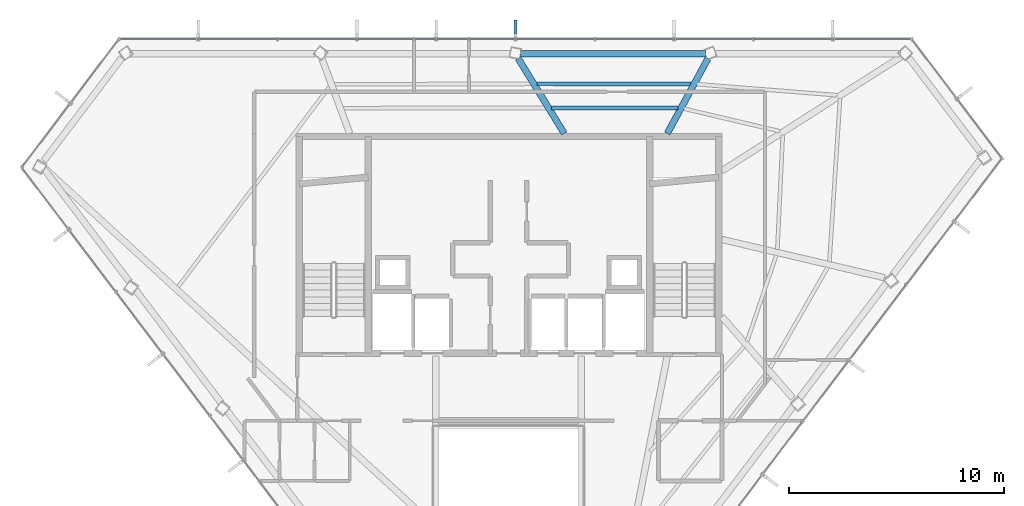
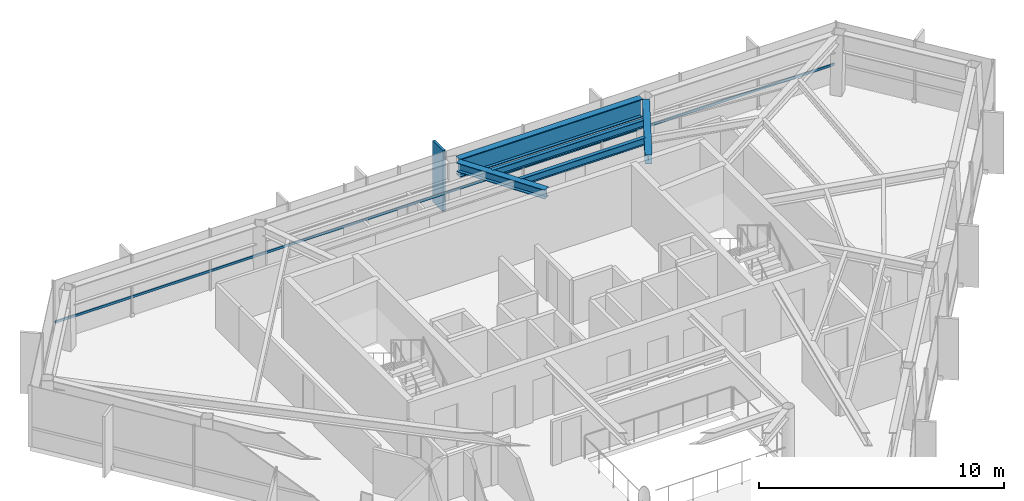
# One storey, part 13 of 24: 5 beams, 2 members, 1 element without a shape of its own.
"""IFC4 building model written with IfcOpenShell, lengths in metres."""

from ifc_helpers import new_model, si_unit, direction, frame, origin, origin_2d, place, context, subcontext, project, spatial, rectangle, hollow_rectangle, i_section, extrude, material, layer, layer_set, material_profile, profile_set, type_object, element, aggregate, save


model = new_model("IFC4")

# Units and contexts
model_context = context("Model", 3, precision=1e-05, world=origin(), true_north=direction((0.0, 1.0)))
body_context = subcontext(model_context, "Body", "Model", "MODEL_VIEW")
ifc_project = project(units=[si_unit("LENGTHUNIT", "METRE"), si_unit("AREAUNIT", "SQUARE_METRE"), si_unit("VOLUMEUNIT", "CUBIC_METRE"), si_unit("PLANEANGLEUNIT", "RADIAN"), si_unit("MASSUNIT", "GRAM", prefix="KILO")], contexts=[model_context])

# Site, building, storey
site_placement = place(None, origin())
site = spatial("IfcSite", under=ifc_project, at=site_placement, CompositionType="ELEMENT")
building_placement = place(site_placement, origin())
building = spatial("IfcBuilding", under=site, at=building_placement, Name="Zarrinselat Tower", CompositionType="ELEMENT")
storey_placement = place(building_placement, frame((0.0, 0.0, 249.56005859375)))
storey = spatial("IfcBuildingStorey", under=building, at=storey_placement, Name="L63", CompositionType="ELEMENT", Elevation=249.56005859375)

# Beams
ifc_material_1 = material(Name="Steel S355J2", Category="steel")
ifc_material_profile_1 = material_profile(ifc_material_1, i_section(OverallWidth=0.300048828125, OverallDepth=0.449951171875, WebThickness=0.013916015625, FlangeThickness=0.02587890625, at=origin_2d()), Name="HEB 450")
ifc_profile_set_1 = profile_set([ifc_material_profile_1], Name="Steel S355J2")
beam_type_1 = type_object("IfcBeamType", Name="BM-HEB450", PredefinedType="BEAM", material=ifc_profile_set_1)
beam_1_placement = place(storey_placement, frame((45.800048828125, 43.5400390625, 2.824951171875), z_axis=(0.477121674943, 0.878837247333, 0.0), x_axis=(-0.878837247333, 0.477121674943, 0.0)))
element("IfcBeam", 1, at=beam_1_placement, inside=storey, type_object=beam_type_1, Name="L63 Radial Primary Girder RG02", PredefinedType="BEAM", context=body_context, shape_type="SweptSolid", body=[
    extrude(i_section(OverallWidth=0.300048828125, OverallDepth=0.449951171875, WebThickness=0.013916015625, FlangeThickness=0.02587890625, at=origin_2d()), origin(), (0.0, 0.0, 1.0), 3.975830078125),
])
beam_2_placement = place(storey_placement, frame((38.8505859375, 47.040771484375, 2.824951171875), z_axis=(0.523235017619, -0.852188427719, 0.0), x_axis=(0.852188427719, 0.523235017619, 0.0)))
element("IfcBeam", 2, at=beam_2_placement, inside=storey, type_object=beam_type_1, Name="L63 Radial Primary Girder RG03", PredefinedType="BEAM", context=body_context, shape_type="SweptSolid", body=[
    extrude(i_section(OverallWidth=0.300048828125, OverallDepth=0.449951171875, WebThickness=0.013916015625, FlangeThickness=0.02587890625, at=origin_2d()), origin(), (0.0, 0.0, 1.0), 4.10791015625),
])
ifc_material_2 = material(Name="Steel S460M", Category="steel")
ifc_material_profile_2 = material_profile(ifc_material_2, i_section(OverallWidth=0.302001953125, OverallDepth=0.909912109375, WebThickness=0.02099609375, FlangeThickness=0.0400390625, at=origin_2d()), Name="HEM 900")
ifc_profile_set_2 = profile_set([ifc_material_profile_2], Name="Steel S460M")
beam_type_2 = type_object("IfcBeamType", Name="BM-HEM900", PredefinedType="BEAM", material=ifc_profile_set_2)
beam_3_placement = place(storey_placement, frame((38.956787109375, 47.255615234375, 2.594970703125), z_axis=(1.0, 0.0, 0.0), x_axis=(0.0, 1.0, 0.0)))
element("IfcBeam", 3, at=beam_3_placement, inside=storey, type_object=beam_type_2, Name="L63 Perimeter Spandrel Girder SP02", PredefinedType="BEAM", context=body_context, shape_type="SweptSolid", body=[
    extrude(i_section(OverallWidth=0.302001953125, OverallDepth=0.909912109375, WebThickness=0.02099609375, FlangeThickness=0.0400390625, at=origin_2d()), origin(), (0.0, 0.0, 1.0), 8.622314453125),
])
ifc_material_3 = material(Name="Steel S355J2", Category="steel")
ifc_material_profile_3 = material_profile(ifc_material_3, i_section(OverallWidth=0.169921875, OverallDepth=0.360107421875, WebThickness=0.008056640625, FlangeThickness=0.0126953125, at=origin_2d()), Name="IPE 360")
ifc_profile_set_3 = profile_set([ifc_material_profile_3], Name="Steel S355J2")
beam_type_3 = type_object("IfcBeamType", Name="BM-IPE360", PredefinedType="JOIST", material=ifc_profile_set_3)
beam_4_placement = place(storey_placement, frame((39.721435546875, 45.850341796875, 2.869873046875), z_axis=(0.999999833425, -0.000577190682, 0.0), x_axis=(0.000577190682, 0.999999833425, 0.0)))
element("IfcBeam", 4, at=beam_4_placement, inside=storey, type_object=beam_type_3, Name="L63 Composite Floor Joist 7-1", PredefinedType="JOIST", context=body_context, shape_type="SweptSolid", body=[
    extrude(i_section(OverallWidth=0.169921875, OverallDepth=0.360107421875, WebThickness=0.008056640625, FlangeThickness=0.0126953125, at=origin_2d()), origin(), (0.0, 0.0, 1.0), 7.190673828125),
])
beam_5_placement = place(storey_placement, frame((40.4091796875, 44.730224609375, 2.869873046875), z_axis=(0.999999930552, -0.000372686214, 0.0), x_axis=(0.000372686214, 0.999999930552, 0.0)))
element("IfcBeam", 5, at=beam_5_placement, inside=storey, type_object=beam_type_3, Name="L63 Composite Floor Joist 7-2", PredefinedType="JOIST", context=body_context, shape_type="SweptSolid", body=[
    extrude(i_section(OverallWidth=0.169921875, OverallDepth=0.360107421875, WebThickness=0.008056640625, FlangeThickness=0.0126953125, at=origin_2d()), origin(), (0.0, 0.0, 1.0), 5.895751953125),
])

# Curtain wall, members
ifc_material_4 = material(Name="Extruded Aluminium Alloy EN AW-6063 T6", Category="aluminium")
ifc_layer = layer(ifc_material_4, 0.169921875)
ifc_layer_set = layer_set([ifc_layer], Name="Extruded Aluminium Alloy EN AW-6063 T6")
curtain_wall_type = type_object("IfcCurtainWallType", Name="CWS-RES", PredefinedType="NOTDEFINED", material=ifc_layer_set)
curtain_wall_placement = place(storey_placement, origin())
curtain_wall = element("IfcCurtainWall", 6, at=curtain_wall_placement, inside=storey, type_object=curtain_wall_type, Name="L63 Unitised Curtain Wall CW-L63-E01", PredefinedType="NOTDEFINED")
ifc_material_5 = material(Name="Extruded Aluminium Alloy EN AW-6063 T6", Category="aluminium")
ifc_material_profile_4 = material_profile(ifc_material_5, hollow_rectangle(XDim=0.06005859375, YDim=0.1201171875, WallThickness=0.00390625, at=origin_2d()), Name="RHS 120x60x4")
ifc_profile_set_4 = profile_set([ifc_material_profile_4], Name="Extruded Aluminium Alloy EN AW-6063 T6")
member_type_1 = type_object("IfcMemberType", Name="MEM-CW-TRN2", PredefinedType="USERDEFINED", material=ifc_profile_set_4)
member_1_placement = place(storey_placement, frame((57.109619140625, 47.944580078125, 0.949951171875), z_axis=(-1.0, 0.0, 0.0), x_axis=(0.0, -1.0, 0.0)))
member_1 = element("IfcMember", 7, at=member_1_placement, type_object=member_type_1, Name="CW-L63-E01 Transom 1", ObjectType="TRANSOM", PredefinedType="USERDEFINED", context=body_context, shape_type="SweptSolid", body=[
    extrude(hollow_rectangle(XDim=0.06005859375, YDim=0.1201171875, WallThickness=0.00390625, at=origin_2d()), origin(), (0.0, 0.0, 1.0), 36.765869140625),
])
ifc_material_6 = material(Name="Honed Cream Travertine Stone", Category="masonry")
ifc_material_profile_5 = material_profile(ifc_material_6, rectangle(XDim=0.1201171875, YDim=0.85009765625, at=origin_2d()), Name="FIN 850x120")
ifc_profile_set_5 = profile_set([ifc_material_profile_5], Name="Honed Cream Travertine Stone")
member_type_2 = type_object("IfcMemberType", Name="MEM-STONE-FIN", PredefinedType="USERDEFINED", material=ifc_profile_set_5)
member_2_placement = place(storey_placement, frame((38.726806640625, 48.404541015625, 0.0), z_axis=(0.0, 0.0, 1.0), x_axis=(1.0, 0.0, 0.0)))
member_2 = element("IfcMember", 8, at=member_2_placement, type_object=member_type_2, Name="L63 Stone Shading Fin CW-L63-E01-05", ObjectType="FIN", PredefinedType="USERDEFINED", context=body_context, shape_type="SweptSolid", body=[
    extrude(rectangle(XDim=0.1201171875, YDim=0.85009765625, at=origin_2d()), origin(), (0.0, 0.0, 1.0), 3.050048828125),
])
aggregate(curtain_wall, [member_2, member_1])

save(model, "model.ifc")
